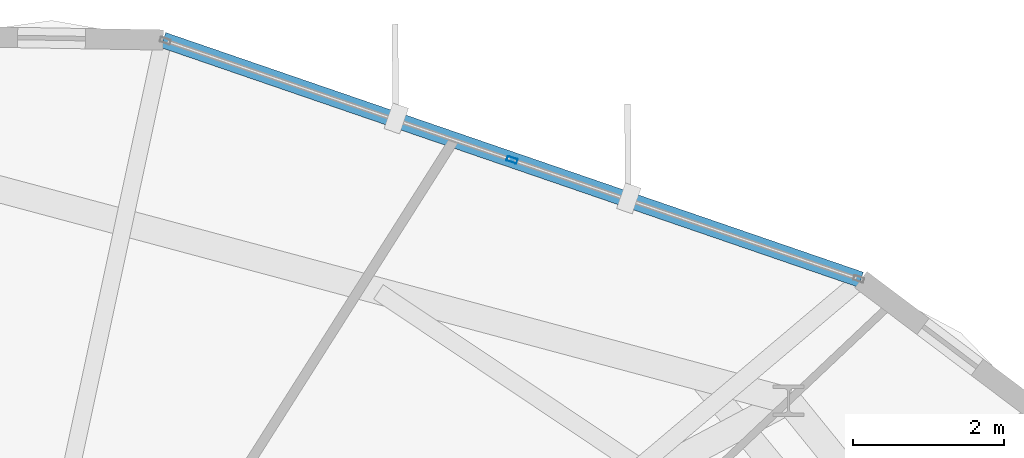
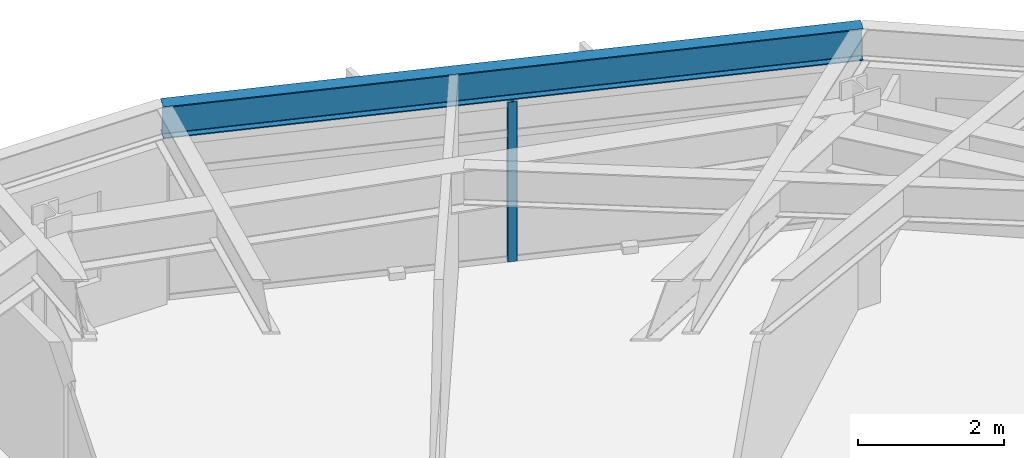
# One storey, part 19 of 29: 1 beam, 1 member, 1 element without a shape of its own.
"""IFC4 building model written with IfcOpenShell, lengths in metres."""

from ifc_helpers import new_model, si_unit, direction, frame, origin, origin_2d, place, context, subcontext, project, spatial, hollow_rectangle, i_section, extrude, material, layer, layer_set, material_profile, profile_set, type_object, element, aggregate, save


model = new_model("IFC4")

# Units and contexts
model_context = context("Model", 3, precision=1e-05, world=origin(), true_north=direction((0.0, 1.0)))
body_context = subcontext(model_context, "Body", "Model", "MODEL_VIEW")
ifc_project = project(units=[si_unit("LENGTHUNIT", "METRE"), si_unit("AREAUNIT", "SQUARE_METRE"), si_unit("VOLUMEUNIT", "CUBIC_METRE"), si_unit("PLANEANGLEUNIT", "RADIAN"), si_unit("MASSUNIT", "GRAM", prefix="KILO")], contexts=[model_context])

# Site, building, storey
site_placement = place(None, origin())
site = spatial("IfcSite", under=ifc_project, at=site_placement, CompositionType="ELEMENT")
building_placement = place(site_placement, origin())
building = spatial("IfcBuilding", under=site, at=building_placement, Name="Soratama Intermodal Tower", CompositionType="ELEMENT")
storey_placement = place(building_placement, frame((0.0, 0.0, 226.60009765625)))
storey = spatial("IfcBuildingStorey", under=building, at=storey_placement, Name="L57", CompositionType="ELEMENT", Elevation=226.60009765625)

# Beam
ifc_material_1 = material(Name="Structural steel ASTM A992 Grade 50", Category="steel")
ifc_material_profile_1 = material_profile(ifc_material_1, i_section(OverallWidth=0.2099609375, OverallDepth=0.537109375, WebThickness=0.010986328125, FlangeThickness=0.017333984375, FilletRadius=0.012939453125, at=origin_2d()), Name="W21X68")
ifc_profile_set_1 = profile_set([ifc_material_profile_1], Name="Structural steel ASTM A992 Grade 50")
beam_type = type_object("IfcBeamType", Name="BM-SPN-W21X68", PredefinedType="SPANDREL", material=ifc_profile_set_1)
beam_placement = place(storey_placement, frame((56.091064453125, 42.20703125, 3.031494140625), z_axis=(-0.945760786407, 0.324863871328, 0.0), x_axis=(-0.324863871328, -0.945760786407, 0.0)))
element("IfcBeam", 1, at=beam_placement, inside=storey, type_object=beam_type, Name="BS-L57-F01", PredefinedType="SPANDREL", context=body_context, shape_type="SweptSolid", body=[
    extrude(i_section(OverallWidth=0.2099609375, OverallDepth=0.537109375, WebThickness=0.010986328125, FlangeThickness=0.017333984375, FilletRadius=0.012939453125, at=origin_2d()), origin(), (0.0, 0.0, 1.0), 9.797607421875),
])

# Curtain wall, member
ifc_material_2 = material(Name="Double-glazed aluminium curtain wall", Category="aluminium")
ifc_layer = layer(ifc_material_2, 0.159912109375)
ifc_layer_set = layer_set([ifc_layer], Name="Double-glazed aluminium curtain wall")
curtain_wall_type = type_object("IfcCurtainWallType", Name="CW-SYS-5", PredefinedType="NOTDEFINED", material=ifc_layer_set)
curtain_wall_placement = place(storey_placement, origin())
curtain_wall = element("IfcCurtainWall", 2, at=curtain_wall_placement, inside=storey, type_object=curtain_wall_type, Name="L57 Faceted Curtain Wall F01", PredefinedType="NOTDEFINED")
ifc_material_3 = material(Name="Anodised aluminium AA 6063-T6", Category="aluminium")
ifc_material_profile_2 = material_profile(ifc_material_3, hollow_rectangle(XDim=0.06494140625, YDim=0.139892578125, WallThickness=0.0048828125, InnerFilletRadius=0.0048828125, OuterFilletRadius=0.010009765625, at=origin_2d()), Name="CWM140X65X5")
ifc_profile_set_2 = profile_set([ifc_material_profile_2], Name="Anodised aluminium AA 6063-T6")
member_type = type_object("IfcMemberType", Name="MT-CWM-5", PredefinedType="MULLION", material=ifc_profile_set_2)
member_placement = place(storey_placement, frame((51.458251953125, 43.798583984375, 0.0), z_axis=(0.0, 0.0, 1.0), x_axis=(-0.324904335473, -0.945746886218, 0.0)))
member = element("IfcMember", 3, at=member_placement, type_object=member_type, Name="CW-5 mullion 2", PredefinedType="MULLION", context=body_context, shape_type="SweptSolid", body=[
    extrude(hollow_rectangle(XDim=0.06494140625, YDim=0.139892578125, WallThickness=0.0048828125, InnerFilletRadius=0.0048828125, OuterFilletRadius=0.010009765625, at=origin_2d()), origin(), (0.0, 0.0, 1.0), 2.678955078125),
])
aggregate(curtain_wall, [member])

save(model, "model.ifc")
